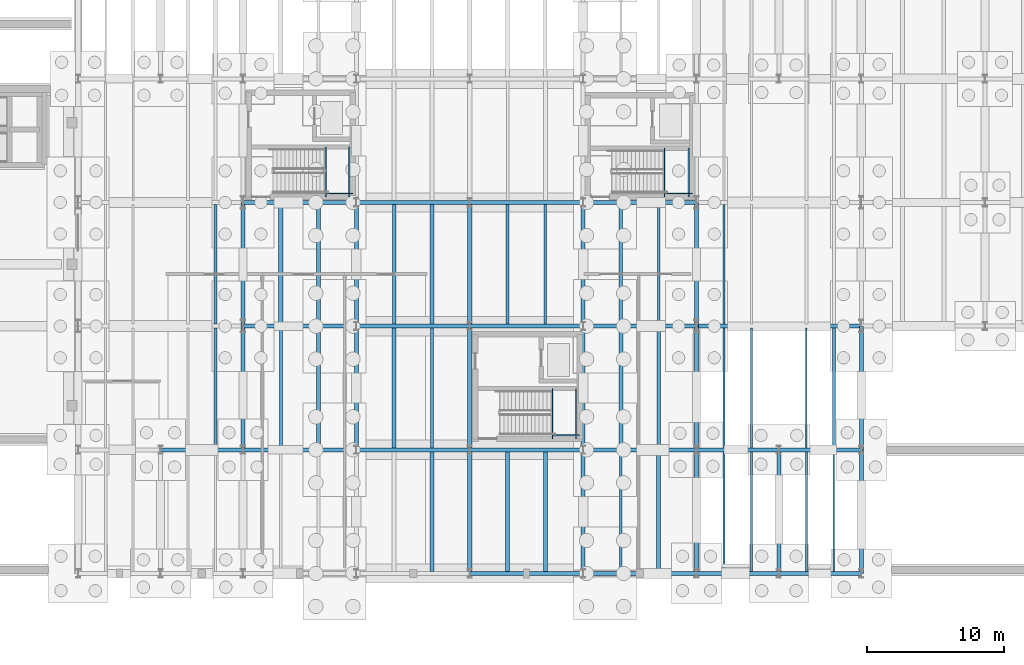
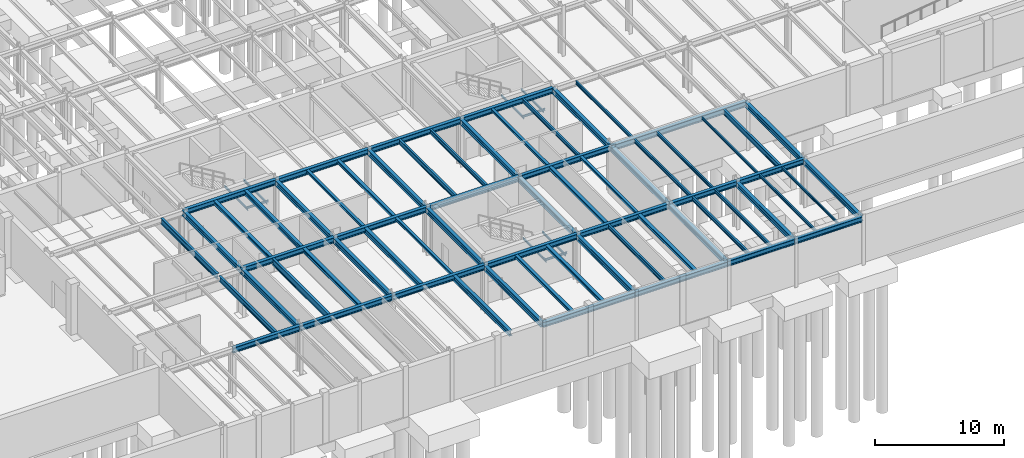
# One storey, part 29 of 59: 75 beams.
"""IFC4 building model written with IfcOpenShell, lengths in metres."""

from ifc_helpers import new_model, si_unit, direction, frame, origin, origin_2d, place, context, subcontext, project, spatial, i_section, extrude, material, material_profile, profile_set, type_object, element, save


model = new_model("IFC4")

# Units and contexts
model_context = context("Model", 3, precision=1e-05, world=origin(), true_north=direction((0.0, 1.0)))
body_context = subcontext(model_context, "Body", "Model", "MODEL_VIEW")
ifc_project = project(units=[si_unit("LENGTHUNIT", "METRE"), si_unit("AREAUNIT", "SQUARE_METRE"), si_unit("VOLUMEUNIT", "CUBIC_METRE"), si_unit("PLANEANGLEUNIT", "RADIAN"), si_unit("MASSUNIT", "GRAM", prefix="KILO")], contexts=[model_context])

# Site, building, storey
site_placement = place(None, origin())
site = spatial("IfcSite", under=ifc_project, at=site_placement, CompositionType="ELEMENT")
building_placement = place(site_placement, origin())
building = spatial("IfcBuilding", under=site, at=building_placement, Name="Montealbar Specialist Clinic", CompositionType="ELEMENT")
storey_placement = place(building_placement, frame((0.0, 0.0, -4.800048828125)))
storey = spatial("IfcBuildingStorey", under=building, at=storey_placement, Name="B01", CompositionType="ELEMENT", Elevation=-4.800048828125)

# Beams
ifc_material = material(Name="Steel S355", Category="steel")
ifc_material_profile_1 = material_profile(ifc_material, i_section(OverallWidth=0.300048828125, OverallDepth=0.5, WebThickness=0.014404296875, FlangeThickness=0.028076171875, FilletRadius=0.027099609375, at=origin_2d()), Name="HEB 500", Category="steel")
ifc_profile_set_1 = profile_set([ifc_material_profile_1], Name="Steel S355")
beam_type_1 = type_object("IfcBeamType", Name="BM-GIRD-HEB500", PredefinedType="BEAM", material=ifc_profile_set_1)
beam_1_placement = place(storey_placement, frame((60.0, 9.0, 4.22998046875), z_axis=(1.0, 0.0, 0.0), x_axis=(0.0, 1.0, 0.0)))
element("IfcBeam", 1, at=beam_1_placement, inside=storey, type_object=beam_type_1, Name="Beam GX-B01-600-660-90", PredefinedType="BEAM", context=body_context, shape_type="SweptSolid", body=[
    extrude(i_section(OverallWidth=0.300048828125, OverallDepth=0.5, WebThickness=0.014404296875, FlangeThickness=0.028076171875, FilletRadius=0.027099609375, at=origin_2d()), origin(), (0.0, 0.0, 1.0), 6.0),
])
for number, where, z_axis, x_axis, name in (
    (2, (66.0, 9.0, 4.22998046875), (1.0, 0.0, 0.0), (0.0, 1.0, 0.0), "Beam GX-B01-660-742-90"),
    (3, (74.25, 9.0, 4.22998046875), (1.0, 0.0, 0.0), (0.0, 1.0, 0.0), "Beam GX-B01-742-825-90"),
    (4, (82.5, 9.0, 4.22998046875), (1.0, 0.0, 0.0), (0.0, 1.0, 0.0), "Beam GX-B01-825-908-90"),
    (5, (90.75, 9.0, 4.22998046875), (1.0, 0.0, 0.0), (0.0, 1.0, 0.0), "Beam GX-B01-908-990-90"),
):
    element("IfcBeam", number, at=place(storey_placement, frame(where, z_axis=z_axis, x_axis=x_axis)), inside=storey, type_object=beam_type_1, Name=name, PredefinedType="BEAM", context=body_context, shape_type="SweptSolid", body=[
        extrude(i_section(OverallWidth=0.300048828125, OverallDepth=0.5, WebThickness=0.014404296875, FlangeThickness=0.028076171875, FilletRadius=0.027099609375, at=origin_2d()), origin(), (0.0, 0.0, 1.0), 8.25),
    ])
for number, where, z_axis, x_axis, name in (
    (6, (99.0, 9.0, 4.22998046875), (1.0, 0.0, 0.0), (0.0, 1.0, 0.0), "Beam GX-B01-990-1050-90"),
    (7, (105.0, 9.0, 4.22998046875), (1.0, 0.0, 0.0), (0.0, 1.0, 0.0), "Beam GX-B01-1050-1110-90"),
):
    element("IfcBeam", number, at=place(storey_placement, frame(where, z_axis=z_axis, x_axis=x_axis)), inside=storey, type_object=beam_type_1, Name=name, PredefinedType="BEAM", context=body_context, shape_type="SweptSolid", body=[
        extrude(i_section(OverallWidth=0.300048828125, OverallDepth=0.5, WebThickness=0.014404296875, FlangeThickness=0.028076171875, FilletRadius=0.027099609375, at=origin_2d()), origin(), (0.0, 0.0, 1.0), 6.0),
    ])
for number, where, z_axis, x_axis, name in (
    (8, (66.0, 18.0, 4.22998046875), (1.0, 0.0, 0.0), (0.0, 1.0, 0.0), "Beam GX-B01-660-742-180"),
    (9, (74.25, 18.0, 4.22998046875), (1.0, 0.0, 0.0), (0.0, 1.0, 0.0), "Beam GX-B01-742-825-180"),
    (10, (82.5, 18.0, 4.22998046875), (1.0, 0.0, 0.0), (0.0, 1.0, 0.0), "Beam GX-B01-825-908-180"),
    (11, (90.75, 18.0, 4.22998046875), (1.0, 0.0, 0.0), (0.0, 1.0, 0.0), "Beam GX-B01-908-990-180"),
    (12, (66.0, 27.0, 4.22998046875), (1.0, 0.0, 0.0), (0.0, 1.0, 0.0), "Beam GX-B01-660-742-270"),
    (13, (74.25, 27.0, 4.22998046875), (1.0, 0.0, 0.0), (0.0, 1.0, 0.0), "Beam GX-B01-742-825-270"),
    (14, (82.5, 27.0, 4.22998046875), (1.0, 0.0, 0.0), (0.0, 1.0, 0.0), "Beam GX-B01-825-908-270"),
    (15, (90.75, 27.0, 4.22998046875), (1.0, 0.0, 0.0), (0.0, 1.0, 0.0), "Beam GX-B01-908-990-270"),
):
    element("IfcBeam", number, at=place(storey_placement, frame(where, z_axis=z_axis, x_axis=x_axis)), inside=storey, type_object=beam_type_1, Name=name, PredefinedType="BEAM", context=body_context, shape_type="SweptSolid", body=[
        extrude(i_section(OverallWidth=0.300048828125, OverallDepth=0.5, WebThickness=0.014404296875, FlangeThickness=0.028076171875, FilletRadius=0.027099609375, at=origin_2d()), origin(), (0.0, 0.0, 1.0), 8.25),
    ])
for number, where, z_axis, x_axis, name in (
    (16, (66.0, 9.0, 4.22998046875), (0.0, 1.0, 0.0), (-1.0, 0.0, 0.0), "Beam GY-B01-660-90-180"),
    (17, (66.0, 18.0, 4.22998046875), (0.0, 1.0, 0.0), (-1.0, 0.0, 0.0), "Beam GY-B01-660-180-270"),
    (18, (74.25, 9.0, 4.22998046875), (0.0, 1.0, 0.0), (-1.0, 0.0, 0.0), "Beam GY-B01-742-90-180"),
    (19, (74.25, 18.0, 4.22998046875), (0.0, 1.0, 0.0), (-1.0, 0.0, 0.0), "Beam GY-B01-742-180-270"),
    (20, (82.5, 0.0, 4.22998046875), (0.0, 1.0, 0.0), (-1.0, 0.0, 0.0), "Beam GY-B01-825-0-90"),
    (21, (82.5, 9.0, 4.22998046875), (0.0, 1.0, 0.0), (-1.0, 0.0, 0.0), "Beam GY-B01-825-90-180"),
    (22, (82.5, 18.0, 4.22998046875), (0.0, 1.0, 0.0), (-1.0, 0.0, 0.0), "Beam GY-B01-825-180-270"),
    (23, (90.75, 0.0, 4.22998046875), (0.0, 1.0, 0.0), (-1.0, 0.0, 0.0), "Beam GY-B01-908-0-90"),
    (24, (90.75, 9.0, 4.22998046875), (0.0, 1.0, 0.0), (-1.0, 0.0, 0.0), "Beam GY-B01-908-90-180"),
    (25, (90.75, 18.0, 4.22998046875), (0.0, 1.0, 0.0), (-1.0, 0.0, 0.0), "Beam GY-B01-908-180-270"),
    (26, (99.0, 0.0, 4.22998046875), (0.0, 1.0, 0.0), (-1.0, 0.0, 0.0), "Beam GY-B01-990-0-90"),
    (27, (99.0, 9.0, 4.22998046875), (0.0, 1.0, 0.0), (-1.0, 0.0, 0.0), "Beam GY-B01-990-90-180"),
    (28, (99.0, 18.0, 4.22998046875), (0.0, 1.0, 0.0), (-1.0, 0.0, 0.0), "Beam GY-B01-990-180-270"),
    (29, (105.0, 0.0, 4.22998046875), (0.0, 1.0, 0.0), (-1.0, 0.0, 0.0), "Beam GY-B01-1050-0-90"),
):
    element("IfcBeam", number, at=place(storey_placement, frame(where, z_axis=z_axis, x_axis=x_axis)), inside=storey, type_object=beam_type_1, Name=name, PredefinedType="BEAM", context=body_context, shape_type="SweptSolid", body=[
        extrude(i_section(OverallWidth=0.300048828125, OverallDepth=0.5, WebThickness=0.014404296875, FlangeThickness=0.028076171875, FilletRadius=0.027099609375, at=origin_2d()), origin(), (0.0, 0.0, 1.0), 9.0),
    ])
ifc_material_profile_2 = material_profile(ifc_material, i_section(OverallWidth=0.300048828125, OverallDepth=0.5, WebThickness=0.014404296875, FlangeThickness=0.028076171875, FilletRadius=0.027099609375, at=origin_2d()), Name="HEB 500", Category="steel")
ifc_profile_set_2 = profile_set([ifc_material_profile_2], Name="Steel S355")
beam_type_2 = type_object("IfcBeamType", Name="BM-GIRD-HEB500-EXT", PredefinedType="BEAM", material=ifc_profile_set_2)
for number, where, z_axis, x_axis, name in (
    (30, (82.5, 0.0, 4.22998046875), (1.0, 0.0, 0.0), (0.0, 1.0, 0.0), "Beam GX-B01-825-908-0"),
    (31, (90.75, 0.0, 4.22998046875), (1.0, 0.0, 0.0), (0.0, 1.0, 0.0), "Beam GX-B01-908-990-0"),
):
    element("IfcBeam", number, at=place(storey_placement, frame(where, z_axis=z_axis, x_axis=x_axis)), inside=storey, type_object=beam_type_2, Name=name, PredefinedType="BEAM", context=body_context, shape_type="SweptSolid", body=[
        extrude(i_section(OverallWidth=0.300048828125, OverallDepth=0.5, WebThickness=0.014404296875, FlangeThickness=0.028076171875, FilletRadius=0.027099609375, at=origin_2d()), origin(), (0.0, 0.0, 1.0), 8.25),
    ])
for number, where, z_axis, x_axis, name in (
    (32, (99.0, 0.0, 4.22998046875), (1.0, 0.0, 0.0), (0.0, 1.0, 0.0), "Beam GX-B01-990-1050-0"),
    (33, (105.0, 0.0, 4.22998046875), (1.0, 0.0, 0.0), (0.0, 1.0, 0.0), "Beam GX-B01-1050-1110-0"),
):
    element("IfcBeam", number, at=place(storey_placement, frame(where, z_axis=z_axis, x_axis=x_axis)), inside=storey, type_object=beam_type_2, Name=name, PredefinedType="BEAM", context=body_context, shape_type="SweptSolid", body=[
        extrude(i_section(OverallWidth=0.300048828125, OverallDepth=0.5, WebThickness=0.014404296875, FlangeThickness=0.028076171875, FilletRadius=0.027099609375, at=origin_2d()), origin(), (0.0, 0.0, 1.0), 6.0),
    ])
for number, where, z_axis, x_axis, name in (
    (34, (111.0, 0.0, 4.22998046875), (0.0, 1.0, 0.0), (-1.0, 0.0, 0.0), "Beam GY-B01-1110-0-90"),
    (35, (111.0, 9.0, 4.22998046875), (0.0, 1.0, 0.0), (-1.0, 0.0, 0.0), "Beam GY-B01-1110-90-180"),
):
    element("IfcBeam", number, at=place(storey_placement, frame(where, z_axis=z_axis, x_axis=x_axis)), inside=storey, type_object=beam_type_2, Name=name, PredefinedType="BEAM", context=body_context, shape_type="SweptSolid", body=[
        extrude(i_section(OverallWidth=0.300048828125, OverallDepth=0.5, WebThickness=0.014404296875, FlangeThickness=0.028076171875, FilletRadius=0.027099609375, at=origin_2d()), origin(), (0.0, 0.0, 1.0), 9.0),
    ])
ifc_material_profile_3 = material_profile(ifc_material, i_section(OverallWidth=0.300048828125, OverallDepth=0.550048828125, WebThickness=0.014892578125, FlangeThickness=0.029052734375, FilletRadius=0.027099609375, at=origin_2d()), Name="HEB 550", Category="steel")
ifc_profile_set_3 = profile_set([ifc_material_profile_3], Name="Steel S355")
beam_type_3 = type_object("IfcBeamType", Name="BM-GIRD-HEB550", PredefinedType="BEAM", material=ifc_profile_set_3)
beam_2_placement = place(storey_placement, frame((99.0, 18.0, 4.205078125), z_axis=(1.0, 0.0, 0.0), x_axis=(0.0, 1.0, 0.0)))
element("IfcBeam", 36, at=beam_2_placement, inside=storey, type_object=beam_type_3, Name="Beam GX-B01-990-1110-180", PredefinedType="BEAM", context=body_context, shape_type="SweptSolid", body=[
    extrude(i_section(OverallWidth=0.300048828125, OverallDepth=0.550048828125, WebThickness=0.014892578125, FlangeThickness=0.029052734375, FilletRadius=0.027099609375, at=origin_2d()), origin(), (0.0, 0.0, 1.0), 12.0),
])
ifc_material_profile_4 = material_profile(ifc_material, i_section(OverallWidth=0.300048828125, OverallDepth=0.35009765625, WebThickness=0.010009765625, FlangeThickness=0.017578125, FilletRadius=0.027099609375, at=origin_2d()), Name="HEA 360", Category="steel")
ifc_profile_set_4 = profile_set([ifc_material_profile_4], Name="Steel S355")
beam_type_4 = type_object("IfcBeamType", Name="BM-JST-HEA360", PredefinedType="JOIST", material=ifc_profile_set_4)
for number, where, z_axis, x_axis, name in (
    (37, (71.5, 9.14990234375, 4.304931640625), (0.0, 1.0, 0.0), (-1.0, 0.0, 0.0), "Beam JST-B01-715-92-178"),
    (38, (68.75, 18.14990234375, 4.304931640625), (0.0, 1.0, 0.0), (-1.0, 0.0, 0.0), "Beam JST-B01-688-182-268"),
):
    element("IfcBeam", number, at=place(storey_placement, frame(where, z_axis=z_axis, x_axis=x_axis)), inside=storey, type_object=beam_type_4, Name=name, PredefinedType="JOIST", context=body_context, shape_type="SweptSolid", body=[
        extrude(i_section(OverallWidth=0.300048828125, OverallDepth=0.35009765625, WebThickness=0.010009765625, FlangeThickness=0.017578125, FilletRadius=0.027099609375, at=origin_2d()), origin(), (0.0, 0.0, 1.0), 8.7001953125),
    ])
ifc_material_profile_5 = material_profile(ifc_material, i_section(OverallWidth=0.300048828125, OverallDepth=0.43994140625, WebThickness=0.011474609375, FlangeThickness=0.02099609375, FilletRadius=0.027099609375, at=origin_2d()), Name="HEA 450", Category="steel")
ifc_profile_set_5 = profile_set([ifc_material_profile_5], Name="Steel S355")
beam_type_5 = type_object("IfcBeamType", Name="BM-JST-HEA450", PredefinedType="JOIST", material=ifc_profile_set_5)
beam_3_placement = place(storey_placement, frame((71.5, 18.14990234375, 4.260009765625), z_axis=(0.0, 1.0, 0.0), x_axis=(-1.0, 0.0, 0.0)))
element("IfcBeam", 39, at=beam_3_placement, inside=storey, type_object=beam_type_5, Name="Beam JST-B01-715-182-268", PredefinedType="JOIST", context=body_context, shape_type="SweptSolid", body=[
    extrude(i_section(OverallWidth=0.300048828125, OverallDepth=0.43994140625, WebThickness=0.011474609375, FlangeThickness=0.02099609375, FilletRadius=0.027099609375, at=origin_2d()), origin(), (0.0, 0.0, 1.0), 8.7001953125),
])
ifc_material_profile_6 = material_profile(ifc_material, i_section(OverallWidth=0.300048828125, OverallDepth=0.489990234375, WebThickness=0.011962890625, FlangeThickness=0.02294921875, FilletRadius=0.027099609375, at=origin_2d()), Name="HEA 500", Category="steel")
ifc_profile_set_6 = profile_set([ifc_material_profile_6], Name="Steel S355")
beam_type_6 = type_object("IfcBeamType", Name="BM-JST-HEA500", PredefinedType="JOIST", material=ifc_profile_set_6)
for number, where, z_axis, x_axis, name in (
    (40, (79.75, 0.14990234375, 4.235107421875), (0.0, 1.0, 0.0), (-1.0, 0.0, 0.0), "Beam JST-B01-798-2-88"),
    (41, (77.0, 9.14990234375, 4.235107421875), (0.0, 1.0, 0.0), (-1.0, 0.0, 0.0), "Beam JST-B01-770-92-178"),
):
    element("IfcBeam", number, at=place(storey_placement, frame(where, z_axis=z_axis, x_axis=x_axis)), inside=storey, type_object=beam_type_6, Name=name, PredefinedType="JOIST", context=body_context, shape_type="SweptSolid", body=[
        extrude(i_section(OverallWidth=0.300048828125, OverallDepth=0.489990234375, WebThickness=0.011962890625, FlangeThickness=0.02294921875, FilletRadius=0.027099609375, at=origin_2d()), origin(), (0.0, 0.0, 1.0), 8.7001953125),
    ])
ifc_material_profile_7 = material_profile(ifc_material, i_section(OverallWidth=0.239990234375, OverallDepth=0.239990234375, WebThickness=0.010009765625, FlangeThickness=0.01708984375, FilletRadius=0.02099609375, at=origin_2d()), Name="HEB 240", Category="steel")
ifc_profile_set_7 = profile_set([ifc_material_profile_7], Name="Steel S355")
beam_type_7 = type_object("IfcBeamType", Name="BM-JST-HEB240", PredefinedType="JOIST", material=ifc_profile_set_7)
for number, where, z_axis, x_axis, name in (
    (42, (79.75, 9.14990234375, 4.360107421875), (0.0, 1.0, 0.0), (-1.0, 0.0, 0.0), "Beam JST-B01-798-92-178"),
    (43, (77.0, 18.14990234375, 4.360107421875), (0.0, 1.0, 0.0), (-1.0, 0.0, 0.0), "Beam JST-B01-770-182-268"),
):
    element("IfcBeam", number, at=place(storey_placement, frame(where, z_axis=z_axis, x_axis=x_axis)), inside=storey, type_object=beam_type_7, Name=name, PredefinedType="JOIST", context=body_context, shape_type="SweptSolid", body=[
        extrude(i_section(OverallWidth=0.239990234375, OverallDepth=0.239990234375, WebThickness=0.010009765625, FlangeThickness=0.01708984375, FilletRadius=0.02099609375, at=origin_2d()), origin(), (0.0, 0.0, 1.0), 8.7001953125),
    ])
ifc_material_profile_8 = material_profile(ifc_material, i_section(OverallWidth=0.280029296875, OverallDepth=0.280029296875, WebThickness=0.010498046875, FlangeThickness=0.01806640625, FilletRadius=0.02392578125, at=origin_2d()), Name="HEB 280", Category="steel")
ifc_profile_set_8 = profile_set([ifc_material_profile_8], Name="Steel S355")
beam_type_8 = type_object("IfcBeamType", Name="BM-JST-HEB280", PredefinedType="JOIST", material=ifc_profile_set_8)
for number, where, z_axis, x_axis, name in (
    (44, (79.75, 18.14990234375, 4.340087890625), (0.0, 1.0, 0.0), (-1.0, 0.0, 0.0), "Beam JST-B01-798-182-268"),
    (45, (85.25, 0.14990234375, 4.340087890625), (0.0, 1.0, 0.0), (-1.0, 0.0, 0.0), "Beam JST-B01-852-2-88"),
):
    element("IfcBeam", number, at=place(storey_placement, frame(where, z_axis=z_axis, x_axis=x_axis)), inside=storey, type_object=beam_type_8, Name=name, PredefinedType="JOIST", context=body_context, shape_type="SweptSolid", body=[
        extrude(i_section(OverallWidth=0.280029296875, OverallDepth=0.280029296875, WebThickness=0.010498046875, FlangeThickness=0.01806640625, FilletRadius=0.02392578125, at=origin_2d()), origin(), (0.0, 0.0, 1.0), 8.7001953125),
    ])
ifc_material_profile_9 = material_profile(ifc_material, i_section(OverallWidth=0.300048828125, OverallDepth=0.320068359375, WebThickness=0.011474609375, FlangeThickness=0.0205078125, FilletRadius=0.027099609375, at=origin_2d()), Name="HEB 320", Category="steel")
ifc_profile_set_9 = profile_set([ifc_material_profile_9], Name="Steel S355")
beam_type_9 = type_object("IfcBeamType", Name="BM-JST-HEB320", PredefinedType="JOIST", material=ifc_profile_set_9)
beam_4_placement = place(storey_placement, frame((88.0, 0.14990234375, 4.320068359375), z_axis=(0.0, 1.0, 0.0), x_axis=(-1.0, 0.0, 0.0)))
element("IfcBeam", 46, at=beam_4_placement, inside=storey, type_object=beam_type_9, Name="Beam JST-B01-880-2-88", PredefinedType="JOIST", context=body_context, shape_type="SweptSolid", body=[
    extrude(i_section(OverallWidth=0.300048828125, OverallDepth=0.320068359375, WebThickness=0.011474609375, FlangeThickness=0.0205078125, FilletRadius=0.027099609375, at=origin_2d()), origin(), (0.0, 0.0, 1.0), 8.7001953125),
])
ifc_material_profile_10 = material_profile(ifc_material, i_section(OverallWidth=0.1201171875, OverallDepth=0.239990234375, WebThickness=0.006103515625, FlangeThickness=0.009765625, FilletRadius=0.014892578125, at=origin_2d()), Name="IPE 240", Category="steel")
ifc_profile_set_10 = profile_set([ifc_material_profile_10], Name="Steel S355")
beam_type_10 = type_object("IfcBeamType", Name="BM-JST-IPE240", PredefinedType="JOIST", material=ifc_profile_set_10)
for number, where, z_axis, x_axis, name in (
    (47, (109.0, 0.14990234375, 4.360107421875), (0.0, 1.0, 0.0), (-1.0, 0.0, 0.0), "Beam JST-B01-1090-2-88"),
    (48, (107.0, 9.14990234375, 4.360107421875), (0.0, 1.0, 0.0), (-1.0, 0.0, 0.0), "Beam JST-B01-1070-92-178"),
):
    element("IfcBeam", number, at=place(storey_placement, frame(where, z_axis=z_axis, x_axis=x_axis)), inside=storey, type_object=beam_type_10, Name=name, PredefinedType="JOIST", context=body_context, shape_type="SweptSolid", body=[
        extrude(i_section(OverallWidth=0.1201171875, OverallDepth=0.239990234375, WebThickness=0.006103515625, FlangeThickness=0.009765625, FilletRadius=0.014892578125, at=origin_2d()), origin(), (0.0, 0.0, 1.0), 8.7001953125),
    ])
ifc_material_profile_11 = material_profile(ifc_material, i_section(OverallWidth=0.135009765625, OverallDepth=0.27001953125, WebThickness=0.006591796875, FlangeThickness=0.01025390625, FilletRadius=0.014892578125, at=origin_2d()), Name="IPE 270", Category="steel")
ifc_profile_set_11 = profile_set([ifc_material_profile_11], Name="Steel S355")
beam_type_11 = type_object("IfcBeamType", Name="BM-JST-IPE270", PredefinedType="JOIST", material=ifc_profile_set_11)
beam_5_placement = place(storey_placement, frame((107.0, 0.14990234375, 4.344970703125), z_axis=(0.0, 1.0, 0.0), x_axis=(-1.0, 0.0, 0.0)))
element("IfcBeam", 49, at=beam_5_placement, inside=storey, type_object=beam_type_11, Name="Beam JST-B01-1070-2-88", PredefinedType="JOIST", context=body_context, shape_type="SweptSolid", body=[
    extrude(i_section(OverallWidth=0.135009765625, OverallDepth=0.27001953125, WebThickness=0.006591796875, FlangeThickness=0.01025390625, FilletRadius=0.014892578125, at=origin_2d()), origin(), (0.0, 0.0, 1.0), 8.7001953125),
])
ifc_material_profile_12 = material_profile(ifc_material, i_section(OverallWidth=0.14990234375, OverallDepth=0.300048828125, WebThickness=0.007080078125, FlangeThickness=0.0107421875, FilletRadius=0.014892578125, at=origin_2d()), Name="IPE 300", Category="steel")
ifc_profile_set_12 = profile_set([ifc_material_profile_12], Name="Steel S355")
beam_type_12 = type_object("IfcBeamType", Name="BM-JST-IPE300", PredefinedType="JOIST", material=ifc_profile_set_12)
for number, where, z_axis, x_axis, name in (
    (50, (103.0, 9.14990234375, 4.330078125), (0.0, 1.0, 0.0), (-1.0, 0.0, 0.0), "Beam JST-B01-1030-92-178"),
    (51, (101.0, 18.14990234375, 4.330078125), (0.0, 1.0, 0.0), (-1.0, 0.0, 0.0), "Beam JST-B01-1010-182-268"),
):
    element("IfcBeam", number, at=place(storey_placement, frame(where, z_axis=z_axis, x_axis=x_axis)), inside=storey, type_object=beam_type_12, Name=name, PredefinedType="JOIST", context=body_context, shape_type="SweptSolid", body=[
        extrude(i_section(OverallWidth=0.14990234375, OverallDepth=0.300048828125, WebThickness=0.007080078125, FlangeThickness=0.0107421875, FilletRadius=0.014892578125, at=origin_2d()), origin(), (0.0, 0.0, 1.0), 8.7001953125),
    ])
ifc_material_profile_13 = material_profile(ifc_material, i_section(OverallWidth=0.159912109375, OverallDepth=0.330078125, WebThickness=0.007568359375, FlangeThickness=0.011474609375, FilletRadius=0.01806640625, at=origin_2d()), Name="IPE 330", Category="steel")
ifc_profile_set_13 = profile_set([ifc_material_profile_13], Name="Steel S355")
beam_type_13 = type_object("IfcBeamType", Name="BM-JST-IPE330", PredefinedType="JOIST", material=ifc_profile_set_13)
for number, where, z_axis, x_axis, name in (
    (52, (103.0, 0.14990234375, 4.31494140625), (0.0, 1.0, 0.0), (-1.0, 0.0, 0.0), "Beam JST-B01-1030-2-88"),
    (53, (101.0, 9.14990234375, 4.31494140625), (0.0, 1.0, 0.0), (-1.0, 0.0, 0.0), "Beam JST-B01-1010-92-178"),
):
    element("IfcBeam", number, at=place(storey_placement, frame(where, z_axis=z_axis, x_axis=x_axis)), inside=storey, type_object=beam_type_13, Name=name, PredefinedType="JOIST", context=body_context, shape_type="SweptSolid", body=[
        extrude(i_section(OverallWidth=0.159912109375, OverallDepth=0.330078125, WebThickness=0.007568359375, FlangeThickness=0.011474609375, FilletRadius=0.01806640625, at=origin_2d()), origin(), (0.0, 0.0, 1.0), 8.7001953125),
    ])
ifc_material_profile_14 = material_profile(ifc_material, i_section(OverallWidth=0.169921875, OverallDepth=0.360107421875, WebThickness=0.008056640625, FlangeThickness=0.0126953125, FilletRadius=0.01806640625, at=origin_2d()), Name="IPE 360", Category="steel")
ifc_profile_set_14 = profile_set([ifc_material_profile_14], Name="Steel S355")
beam_type_14 = type_object("IfcBeamType", Name="BM-JST-IPE360", PredefinedType="JOIST", material=ifc_profile_set_14)
for number, where, z_axis, x_axis, name in (
    (54, (96.25, 18.14990234375, 4.300048828125), (0.0, 1.0, 0.0), (-1.0, 0.0, 0.0), "Beam JST-B01-962-182-268"),
    (55, (101.0, 0.14990234375, 4.300048828125), (0.0, 1.0, 0.0), (-1.0, 0.0, 0.0), "Beam JST-B01-1010-2-88"),
):
    element("IfcBeam", number, at=place(storey_placement, frame(where, z_axis=z_axis, x_axis=x_axis)), inside=storey, type_object=beam_type_14, Name=name, PredefinedType="JOIST", context=body_context, shape_type="SweptSolid", body=[
        extrude(i_section(OverallWidth=0.169921875, OverallDepth=0.360107421875, WebThickness=0.008056640625, FlangeThickness=0.0126953125, FilletRadius=0.01806640625, at=origin_2d()), origin(), (0.0, 0.0, 1.0), 8.7001953125),
    ])
ifc_material_profile_15 = material_profile(ifc_material, i_section(OverallWidth=0.199951171875, OverallDepth=0.5, WebThickness=0.01025390625, FlangeThickness=0.01611328125, FilletRadius=0.02099609375, at=origin_2d()), Name="IPE 500", Category="steel")
ifc_profile_set_15 = profile_set([ifc_material_profile_15], Name="Steel S355")
beam_type_15 = type_object("IfcBeamType", Name="BM-JST-IPE500", PredefinedType="JOIST", material=ifc_profile_set_15)
for number, where, z_axis, x_axis, name in (
    (56, (64.0, 9.14990234375, 4.22998046875), (0.0, 1.0, 0.0), (-1.0, 0.0, 0.0), "Beam JST-B01-640-92-178"),
    (57, (109.0, 9.14990234375, 4.22998046875), (0.0, 1.0, 0.0), (-1.0, 0.0, 0.0), "Beam JST-B01-1090-92-178"),
):
    element("IfcBeam", number, at=place(storey_placement, frame(where, z_axis=z_axis, x_axis=x_axis)), inside=storey, type_object=beam_type_15, Name=name, PredefinedType="JOIST", context=body_context, shape_type="SweptSolid", body=[
        extrude(i_section(OverallWidth=0.199951171875, OverallDepth=0.5, WebThickness=0.01025390625, FlangeThickness=0.01611328125, FilletRadius=0.02099609375, at=origin_2d()), origin(), (0.0, 0.0, 1.0), 8.7001953125),
    ])
ifc_material_profile_16 = material_profile(ifc_material, i_section(OverallWidth=0.2099609375, OverallDepth=0.550048828125, WebThickness=0.010986328125, FlangeThickness=0.01708984375, FilletRadius=0.02392578125, at=origin_2d()), Name="IPE 550", Category="steel")
ifc_profile_set_16 = profile_set([ifc_material_profile_16], Name="Steel S355")
beam_type_16 = type_object("IfcBeamType", Name="BM-JST-IPE550", PredefinedType="JOIST", material=ifc_profile_set_16)
beam_6_placement = place(storey_placement, frame((64.0, 18.14990234375, 4.205078125), z_axis=(0.0, 1.0, 0.0), x_axis=(-1.0, 0.0, 0.0)))
element("IfcBeam", 58, at=beam_6_placement, inside=storey, type_object=beam_type_16, Name="Beam JST-B01-640-182-268", PredefinedType="JOIST", context=body_context, shape_type="SweptSolid", body=[
    extrude(i_section(OverallWidth=0.2099609375, OverallDepth=0.550048828125, WebThickness=0.010986328125, FlangeThickness=0.01708984375, FilletRadius=0.02392578125, at=origin_2d()), origin(), (0.0, 0.0, 1.0), 8.7001953125),
])
ifc_material_profile_17 = material_profile(ifc_material, i_section(OverallWidth=0.219970703125, OverallDepth=0.60009765625, WebThickness=0.011962890625, FlangeThickness=0.01904296875, FilletRadius=0.02392578125, at=origin_2d()), Name="IPE 600", Category="steel")
ifc_profile_set_17 = profile_set([ifc_material_profile_17], Name="Steel S355")
beam_type_17 = type_object("IfcBeamType", Name="BM-JST-IPE600", PredefinedType="JOIST", material=ifc_profile_set_17)
beam_7_placement = place(storey_placement, frame((68.75, 9.14990234375, 4.179931640625), z_axis=(0.0, 1.0, 0.0), x_axis=(-1.0, 0.0, 0.0)))
element("IfcBeam", 59, at=beam_7_placement, inside=storey, type_object=beam_type_17, Name="Beam JST-B01-688-92-178", PredefinedType="JOIST", context=body_context, shape_type="SweptSolid", body=[
    extrude(i_section(OverallWidth=0.219970703125, OverallDepth=0.60009765625, WebThickness=0.011962890625, FlangeThickness=0.01904296875, FilletRadius=0.02392578125, at=origin_2d()), origin(), (0.0, 0.0, 1.0), 8.7001953125),
])
ifc_material_profile_18 = material_profile(ifc_material, i_section(OverallWidth=0.10009765625, OverallDepth=0.199951171875, WebThickness=0.005615234375, FlangeThickness=0.008544921875, FilletRadius=0.011962890625, at=origin_2d()), Name="IPE 200", Category="steel")
ifc_profile_set_18 = profile_set([ifc_material_profile_18], Name="Steel S355")
beam_type_18 = type_object("IfcBeamType", Name="BM-LINT-IPE200", PredefinedType="LINTEL", material=ifc_profile_set_18)
for number, where, z_axis, x_axis, name in (
    (60, (72.02490234375, 27.39990234375, 2.10009765625), (0.0, 1.0, 0.0), (-1.0, 0.0, 0.0), "Core C3 Stair Landing Beam B01 W"),
    (61, (73.72998046875, 27.39990234375, 2.10009765625), (0.0, 1.0, 0.0), (-1.0, 0.0, 0.0), "Core C3 Stair Landing Beam B01 E"),
):
    element("IfcBeam", number, at=place(storey_placement, frame(where, z_axis=z_axis, x_axis=x_axis)), inside=storey, type_object=beam_type_18, Name=name, PredefinedType="LINTEL", context=body_context, shape_type="SweptSolid", body=[
        extrude(i_section(OverallWidth=0.10009765625, OverallDepth=0.199951171875, WebThickness=0.005615234375, FlangeThickness=0.008544921875, FilletRadius=0.011962890625, at=origin_2d()), origin(), (0.0, 0.0, 1.0), 3.650146484375),
    ])
beam_8_placement = place(storey_placement, frame((72.02490234375, 27.64990234375, 2.10009765625), z_axis=(1.0, 0.0, 0.0), x_axis=(0.0, 1.0, 0.0)))
element("IfcBeam", 62, at=beam_8_placement, inside=storey, type_object=beam_type_18, Name="Core C3 Stair Landing Tie Beam B01", PredefinedType="LINTEL", context=body_context, shape_type="SweptSolid", body=[
    extrude(i_section(OverallWidth=0.10009765625, OverallDepth=0.199951171875, WebThickness=0.005615234375, FlangeThickness=0.008544921875, FilletRadius=0.011962890625, at=origin_2d()), origin(), (0.0, 0.0, 1.0), 1.97509765625),
])
for number, where, z_axis, x_axis, name in (
    (63, (88.52490234375, 9.800048828125, 2.10009765625), (0.0, 1.0, 0.0), (-1.0, 0.0, 0.0), "Core C4 Stair Landing Beam B01 W"),
    (64, (90.22998046875, 9.800048828125, 2.10009765625), (0.0, 1.0, 0.0), (-1.0, 0.0, 0.0), "Core C4 Stair Landing Beam B01 E"),
):
    element("IfcBeam", number, at=place(storey_placement, frame(where, z_axis=z_axis, x_axis=x_axis)), inside=storey, type_object=beam_type_18, Name=name, PredefinedType="LINTEL", context=body_context, shape_type="SweptSolid", body=[
        extrude(i_section(OverallWidth=0.10009765625, OverallDepth=0.199951171875, WebThickness=0.005615234375, FlangeThickness=0.008544921875, FilletRadius=0.011962890625, at=origin_2d()), origin(), (0.0, 0.0, 1.0), 3.64990234375),
    ])
beam_9_placement = place(storey_placement, frame((88.52490234375, 10.050048828125, 2.10009765625), z_axis=(1.0, 0.0, 0.0), x_axis=(0.0, 1.0, 0.0)))
element("IfcBeam", 65, at=beam_9_placement, inside=storey, type_object=beam_type_18, Name="Core C4 Stair Landing Tie Beam B01", PredefinedType="LINTEL", context=body_context, shape_type="SweptSolid", body=[
    extrude(i_section(OverallWidth=0.10009765625, OverallDepth=0.199951171875, WebThickness=0.005615234375, FlangeThickness=0.008544921875, FilletRadius=0.011962890625, at=origin_2d()), origin(), (0.0, 0.0, 1.0), 1.97509765625),
])
for number, where, z_axis, x_axis, name in (
    (66, (96.675048828125, 27.39990234375, 2.10009765625), (0.0, 1.0, 0.0), (-1.0, 0.0, 0.0), "Core C5 Stair Landing Beam B01 W"),
    (67, (98.429931640625, 27.39990234375, 2.10009765625), (0.0, 1.0, 0.0), (-1.0, 0.0, 0.0), "Core C5 Stair Landing Beam B01 E"),
):
    element("IfcBeam", number, at=place(storey_placement, frame(where, z_axis=z_axis, x_axis=x_axis)), inside=storey, type_object=beam_type_18, Name=name, PredefinedType="LINTEL", context=body_context, shape_type="SweptSolid", body=[
        extrude(i_section(OverallWidth=0.10009765625, OverallDepth=0.199951171875, WebThickness=0.005615234375, FlangeThickness=0.008544921875, FilletRadius=0.011962890625, at=origin_2d()), origin(), (0.0, 0.0, 1.0), 3.550048828125),
    ])
beam_10_placement = place(storey_placement, frame((96.675048828125, 27.64990234375, 2.10009765625), z_axis=(1.0, 0.0, 0.0), x_axis=(0.0, 1.0, 0.0)))
element("IfcBeam", 68, at=beam_10_placement, inside=storey, type_object=beam_type_18, Name="Core C5 Stair Landing Tie Beam B01", PredefinedType="LINTEL", context=body_context, shape_type="SweptSolid", body=[
    extrude(i_section(OverallWidth=0.10009765625, OverallDepth=0.199951171875, WebThickness=0.005615234375, FlangeThickness=0.008544921875, FilletRadius=0.011962890625, at=origin_2d()), origin(), (0.0, 0.0, 1.0), 2.02490234375),
])
ifc_material_profile_19 = material_profile(ifc_material, i_section(OverallWidth=0.179931640625, OverallDepth=0.39990234375, WebThickness=0.008544921875, FlangeThickness=0.013427734375, FilletRadius=0.02099609375, at=origin_2d()), Name="IPE 400", Category="steel")
ifc_profile_set_19 = profile_set([ifc_material_profile_19], Name="Steel S355")
beam_type_19 = type_object("IfcBeamType", Name="BM-SEC-IPE400", PredefinedType="BEAM", material=ifc_profile_set_19)
for number, where, z_axis, x_axis, name in (
    (69, (88.0, 18.14990234375, 4.280029296875), (0.0, 1.0, 0.0), (-1.0, 0.0, 0.0), "Beam JST-B01-880-182-268"),
    (70, (93.5, 0.14990234375, 4.280029296875), (0.0, 1.0, 0.0), (-1.0, 0.0, 0.0), "Beam JST-B01-935-2-88"),
):
    element("IfcBeam", number, at=place(storey_placement, frame(where, z_axis=z_axis, x_axis=x_axis)), inside=storey, type_object=beam_type_19, Name=name, PredefinedType="BEAM", context=body_context, shape_type="SweptSolid", body=[
        extrude(i_section(OverallWidth=0.179931640625, OverallDepth=0.39990234375, WebThickness=0.008544921875, FlangeThickness=0.013427734375, FilletRadius=0.02099609375, at=origin_2d()), origin(), (0.0, 0.0, 1.0), 8.7001953125),
    ])
ifc_material_profile_20 = material_profile(ifc_material, i_section(OverallWidth=0.18994140625, OverallDepth=0.449951171875, WebThickness=0.009521484375, FlangeThickness=0.0146484375, FilletRadius=0.02099609375, at=origin_2d()), Name="IPE 450", Category="steel")
ifc_profile_set_20 = profile_set([ifc_material_profile_20], Name="Steel S355")
beam_type_20 = type_object("IfcBeamType", Name="BM-SEC-IPE450", PredefinedType="BEAM", material=ifc_profile_set_20)
beam_11_placement = place(storey_placement, frame((85.25, 18.14990234375, 4.255126953125), z_axis=(0.0, 1.0, 0.0), x_axis=(-1.0, 0.0, 0.0)))
element("IfcBeam", 71, at=beam_11_placement, inside=storey, type_object=beam_type_20, Name="Beam JST-B01-852-182-268", PredefinedType="BEAM", context=body_context, shape_type="SweptSolid", body=[
    extrude(i_section(OverallWidth=0.18994140625, OverallDepth=0.449951171875, WebThickness=0.009521484375, FlangeThickness=0.0146484375, FilletRadius=0.02099609375, at=origin_2d()), origin(), (0.0, 0.0, 1.0), 8.7001953125),
])
ifc_material_profile_21 = material_profile(ifc_material, i_section(OverallWidth=0.239990234375, OverallDepth=0.22998046875, WebThickness=0.007568359375, FlangeThickness=0.011962890625, FilletRadius=0.02099609375, at=origin_2d()), Name="HEA 240", Category="steel")
ifc_profile_set_21 = profile_set([ifc_material_profile_21], Name="Steel S355")
beam_type_21 = type_object("IfcBeamType", Name="BM-SPAND-HEA240", PredefinedType="SPANDREL", material=ifc_profile_set_21)
for number, where, z_axis, x_axis, name in (
    (72, (96.25, 9.14990234375, 4.364990234375), (0.0, 1.0, 0.0), (-1.0, 0.0, 0.0), "Beam JST-B01-962-92-178"),
    (73, (93.5, 18.14990234375, 4.364990234375), (0.0, 1.0, 0.0), (-1.0, 0.0, 0.0), "Beam JST-B01-935-182-268"),
):
    element("IfcBeam", number, at=place(storey_placement, frame(where, z_axis=z_axis, x_axis=x_axis)), inside=storey, type_object=beam_type_21, Name=name, PredefinedType="SPANDREL", context=body_context, shape_type="SweptSolid", body=[
        extrude(i_section(OverallWidth=0.239990234375, OverallDepth=0.22998046875, WebThickness=0.007568359375, FlangeThickness=0.011962890625, FilletRadius=0.02099609375, at=origin_2d()), origin(), (0.0, 0.0, 1.0), 8.7001953125),
    ])
ifc_material_profile_22 = material_profile(ifc_material, i_section(OverallWidth=0.300048828125, OverallDepth=0.2900390625, WebThickness=0.008544921875, FlangeThickness=0.013916015625, FilletRadius=0.027099609375, at=origin_2d()), Name="HEA 300", Category="steel")
ifc_profile_set_22 = profile_set([ifc_material_profile_22], Name="Steel S355")
beam_type_22 = type_object("IfcBeamType", Name="BM-SPAND-HEA300", PredefinedType="SPANDREL", material=ifc_profile_set_22)
for number, where, z_axis, x_axis, name in (
    (74, (96.25, 0.14990234375, 4.3349609375), (0.0, 1.0, 0.0), (-1.0, 0.0, 0.0), "Beam JST-B01-962-2-88"),
    (75, (93.5, 9.14990234375, 4.3349609375), (0.0, 1.0, 0.0), (-1.0, 0.0, 0.0), "Beam JST-B01-935-92-178"),
):
    element("IfcBeam", number, at=place(storey_placement, frame(where, z_axis=z_axis, x_axis=x_axis)), inside=storey, type_object=beam_type_22, Name=name, PredefinedType="SPANDREL", context=body_context, shape_type="SweptSolid", body=[
        extrude(i_section(OverallWidth=0.300048828125, OverallDepth=0.2900390625, WebThickness=0.008544921875, FlangeThickness=0.013916015625, FilletRadius=0.027099609375, at=origin_2d()), origin(), (0.0, 0.0, 1.0), 8.7001953125),
    ])

save(model, "model.ifc")
